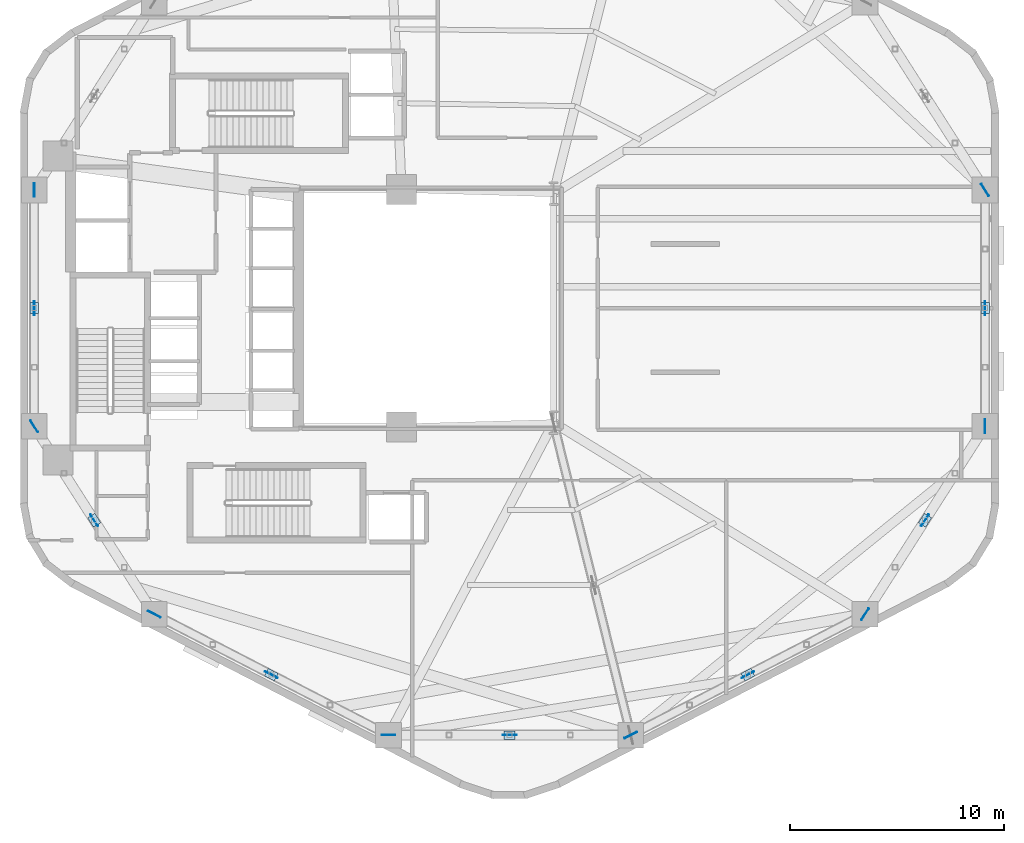
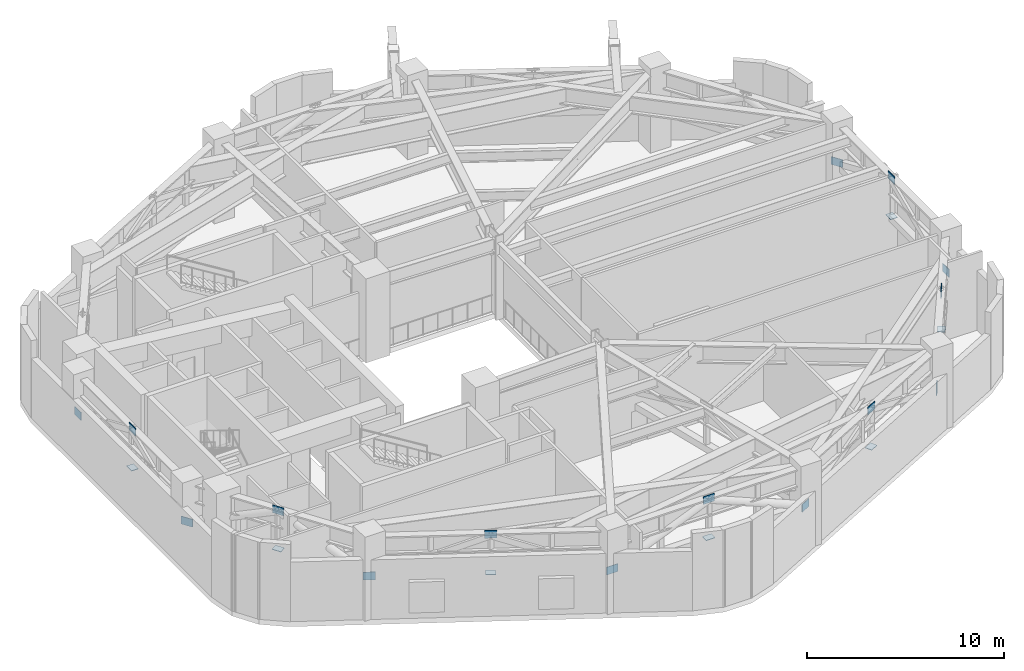
# One storey, part 8 of 14: 22 plates.
"""IFC4 building model written with IfcOpenShell, lengths in metres."""

from ifc_helpers import new_model, si_unit, direction, frame, origin, origin_2d, place, context, subcontext, project, spatial, rectangle, extrude, material, layer, layer_set, type_object, element, save


model = new_model("IFC4")

# Units and contexts
model_context = context("Model", 3, precision=1e-05, world=origin(), true_north=direction((0.0, 1.0)))
body_context = subcontext(model_context, "Body", "Model", "MODEL_VIEW")
ifc_project = project(units=[si_unit("LENGTHUNIT", "METRE"), si_unit("AREAUNIT", "SQUARE_METRE"), si_unit("VOLUMEUNIT", "CUBIC_METRE"), si_unit("PLANEANGLEUNIT", "RADIAN"), si_unit("MASSUNIT", "GRAM", prefix="KILO"), si_unit("THERMODYNAMICTEMPERATUREUNIT", "KELVIN"), si_unit("POWERUNIT", "WATT")], contexts=[model_context])

# Site, building, storey
site_placement = place(None, origin())
site = spatial("IfcSite", under=ifc_project, at=site_placement, CompositionType="ELEMENT")
building_placement = place(site_placement, origin())
building = spatial("IfcBuilding", under=site, at=building_placement, Name="Skarre Station Tower", CompositionType="ELEMENT")
storey_placement = place(building_placement, frame((0.0, 0.0, 96.35009765625)))
storey = spatial("IfcBuildingStorey", under=building, at=storey_placement, Name="L25", CompositionType="ELEMENT", Elevation=96.35009765625)

# Plates
ifc_material = material(Name="Steel ASTM A572 Grade 50", Category="steel")
ifc_layer_1 = layer(ifc_material, 0.028076171875, Name="Steel ASTM A572 Grade 50")
ifc_layer_set_1 = layer_set([ifc_layer_1], Name="Steel ASTM A572 Grade 50")
plate_type_1 = type_object("IfcPlateType", Name="Belt Truss End Cap Plate 520x400x28", PredefinedType="USERDEFINED", material=ifc_layer_set_1)
for number, where, z_axis, x_axis, name in (
    (1, (15.18701171875, 24.0, 2.23583984375), (0.0, 0.0, 1.0), (0.0, -1.0, 0.0), "L25 Belt Truss Chord Cap Plate 5"),
    (2, (17.989990234375, 14.090087890625, 2.23583984375), (0.0, 0.0, 1.0), (0.538285477923, -0.842762566953, 0.0), "L25 Belt Truss Chord Cap Plate 6"),
    (3, (26.26708984375, 6.876953125, 2.23583984375), (0.0, 0.0, 1.0), (0.888657253995, -0.458572006256, 0.0), "L25 Belt Truss Chord Cap Plate 7"),
    (4, (37.39990234375, 4.052978515625, 2.23583984375), (0.0, 0.0, 1.0), (1.0, 0.0, 0.0), "L25 Belt Truss Chord Cap Plate 8"),
    (5, (48.533935546875, 6.876953125, 2.23583984375), (0.0, 0.0, 1.0), (0.888657253995, 0.458572006256, 0.0), "L25 Belt Truss Chord Cap Plate 9"),
    (6, (56.81005859375, 14.090087890625, 2.23583984375), (0.0, 0.0, 1.0), (0.538285477923, 0.842762566953, 0.0), "L25 Belt Truss Chord Cap Plate 10"),
    (7, (59.613037109375, 24.0, 2.23583984375), (0.0, 0.0, 1.0), (0.0, 1.0, 0.0), "L25 Belt Truss Chord Cap Plate 11"),
):
    element("IfcPlate", number, at=place(storey_placement, frame(where, z_axis=z_axis, x_axis=x_axis)), inside=storey, type_object=plate_type_1, Name=name, ObjectType="STIFFENER_PLATE", PredefinedType="USERDEFINED", context=body_context, shape_type="SweptSolid", body=[
        extrude(rectangle(XDim=0.52001953125, YDim=0.39990234375, at=origin_2d()), origin(), (0.0, 0.0, 1.0), 0.028076171875),
    ])
ifc_layer_2 = layer(ifc_material, 0.035888671875, Name="Steel ASTM A572 Grade 50")
ifc_layer_set_2 = layer_set([ifc_layer_2], Name="Steel ASTM A572 Grade 50")
plate_type_2 = type_object("IfcPlateType", Name="Truss Node Gusset Plate 650x480x36", PredefinedType="USERDEFINED", material=ifc_layer_set_2)
for number, where, z_axis, x_axis, name in (
    (8, (15.18701171875, 24.0, 4.389892578125), (0.0, 0.0, 1.0), (0.0, -1.0, 0.0), "L25 Belt Truss Apex Gusset Plate 5"),
    (9, (15.18701171875, 29.52099609375, 2.010009765625), (0.0, 0.0, 1.0), (0.0, -1.0, 0.0), "L25 Belt Truss Node A Gusset Plate 5"),
    (10, (17.989990234375, 14.090087890625, 4.389892578125), (0.0, 0.0, 1.0), (0.538285477923, -0.842762566953, 0.0), "L25 Belt Truss Apex Gusset Plate 6"),
    (11, (15.18701171875, 18.47900390625, 2.010009765625), (0.0, 0.0, 1.0), (0.538285477923, -0.842762566953, 0.0), "L25 Belt Truss Node A Gusset Plate 6"),
    (12, (26.26708984375, 6.876953125, 4.389892578125), (0.0, 0.0, 1.0), (0.888657253995, -0.458572006256, 0.0), "L25 Belt Truss Apex Gusset Plate 7"),
    (13, (20.79296875, 9.701904296875, 2.010009765625), (0.0, 0.0, 1.0), (0.888657253995, -0.458572006256, 0.0), "L25 Belt Truss Node A Gusset Plate 7"),
    (14, (37.39990234375, 4.052978515625, 4.389892578125), (0.0, 0.0, 1.0), (1.0, 0.0, 0.0), "L25 Belt Truss Apex Gusset Plate 8"),
    (15, (31.739990234375, 4.052978515625, 2.010009765625), (0.0, 0.0, 1.0), (1.0, 0.0, 0.0), "L25 Belt Truss Node A Gusset Plate 8"),
    (16, (48.533935546875, 6.876953125, 4.389892578125), (0.0, 0.0, 1.0), (0.888657253995, 0.458572006256, 0.0), "L25 Belt Truss Apex Gusset Plate 9"),
    (17, (43.06005859375, 4.052978515625, 2.010009765625), (0.0, 0.0, 1.0), (0.888657253995, 0.458572006256, 0.0), "L25 Belt Truss Node A Gusset Plate 9"),
    (18, (56.81005859375, 14.090087890625, 4.389892578125), (0.0, 0.0, 1.0), (0.538285477923, 0.842762566953, 0.0), "L25 Belt Truss Apex Gusset Plate 10"),
    (19, (54.007080078125, 9.701904296875, 2.010009765625), (0.0, 0.0, 1.0), (0.538285477923, 0.842762566953, 0.0), "L25 Belt Truss Node A Gusset Plate 10"),
    (20, (59.613037109375, 24.0, 4.389892578125), (0.0, 0.0, 1.0), (0.0, 1.0, 0.0), "L25 Belt Truss Apex Gusset Plate 11"),
    (21, (59.613037109375, 18.47900390625, 2.010009765625), (0.0, 0.0, 1.0), (0.0, 1.0, 0.0), "L25 Belt Truss Node A Gusset Plate 11"),
    (22, (59.613037109375, 29.52099609375, 2.010009765625), (0.0, 0.0, 1.0), (-0.538285477923, 0.842762566953, 0.0), "L25 Belt Truss Node A Gusset Plate 12"),
):
    element("IfcPlate", number, at=place(storey_placement, frame(where, z_axis=z_axis, x_axis=x_axis)), inside=storey, type_object=plate_type_2, Name=name, ObjectType="GUSSET_PLATE", PredefinedType="USERDEFINED", context=body_context, shape_type="SweptSolid", body=[
        extrude(rectangle(XDim=0.64990234375, YDim=0.035888671875, at=origin_2d()), origin(), (0.0, 0.0, 1.0), 0.47998046875),
    ])

save(model, "model.ifc")
